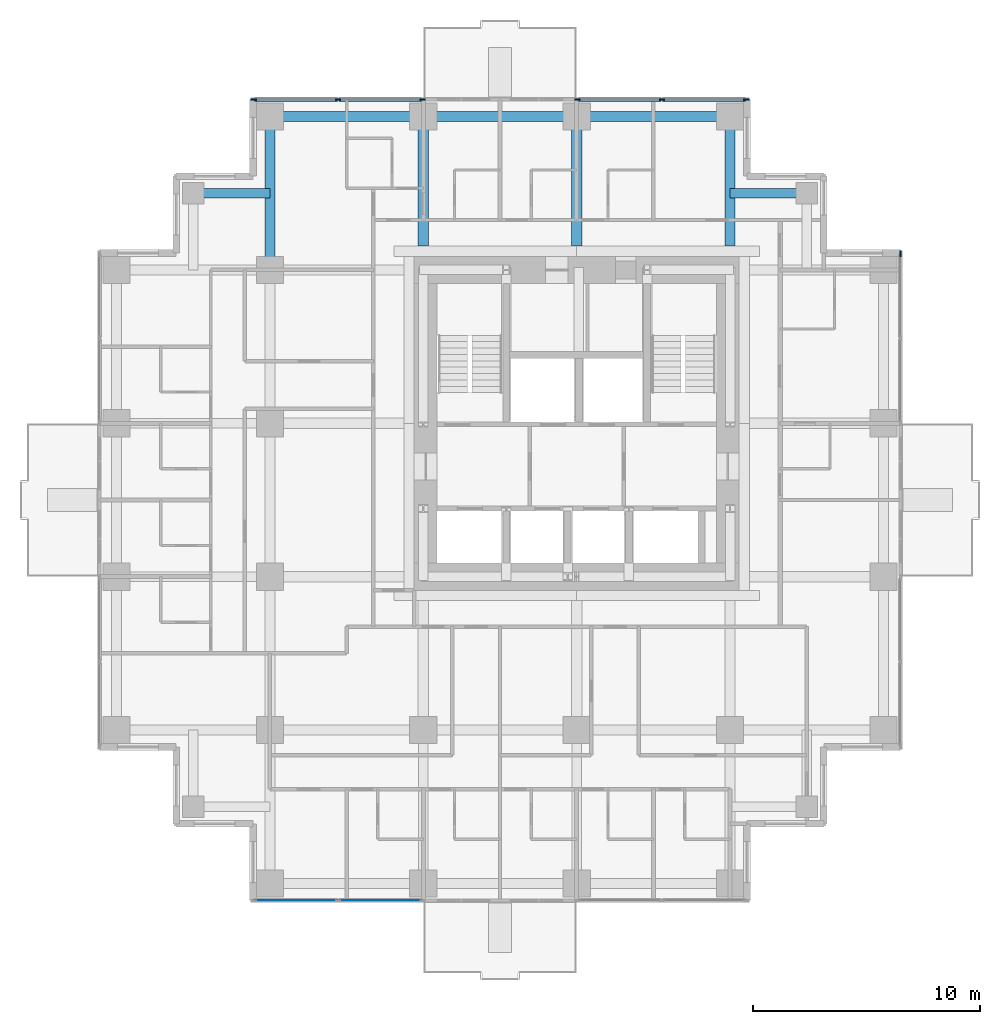
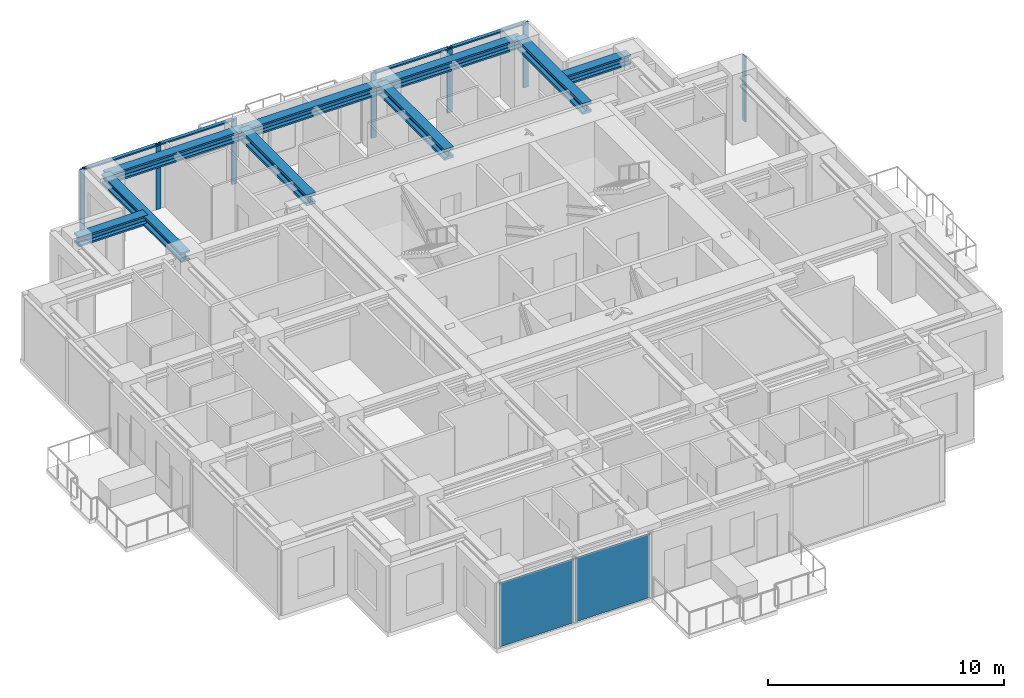
# One storey, part 3 of 10: 11 members, 9 beams, 2 plates, 4 elements without a shape of their own.
"""IFC4 building model written with IfcOpenShell, lengths in metres."""

import ifcopenshell
import ifcopenshell.guid

model = None  # the IFC model being written
_history = None  # IfcOwnerHistory: only IFC2X3 demands one
_inside = {}  # id of a spatial element -> (the spatial element, [elements in it])
_under = {}  # id of a project, library or spatial element -> (it, [spatial elements below it])
_declared = {}  # id of a project -> (the project, [libraries it declares])
_typed = {}  # id of a type object -> (the type object, [elements of that type])
_made_of = {}  # id of a material, layer set ... -> (it, [elements and type objects made of it])


def new_model(schema):
    """Start an empty IFC model of exactly this schema.

    Asked for "IFC4X3", IfcOpenShell would pick the latest addendum, in which some entities
    have other attributes; the version numbers below select the first issue.
    IFC2X3 requires an IfcOwnerHistory on every rooted entity: one is made here for all.
    """
    global model, _history
    if schema == "IFC4X3":
        model = ifcopenshell.file(schema_version=(4, 3, 0, 0))
    else:
        model = ifcopenshell.file(schema=schema)
    _inside.clear()
    _under.clear()
    _declared.clear()
    _typed.clear()
    _made_of.clear()
    _history = None
    if model.schema == "IFC2X3":
        org = make("IfcOrganization", Name="unknown")
        user = make(
            "IfcPersonAndOrganization",
            ThePerson=make("IfcPerson", FamilyName="unknown"),
            TheOrganization=org,
        )
        app = make(
            "IfcApplication",
            ApplicationDeveloper=org,
            Version="unknown",
            ApplicationFullName="unknown",
            ApplicationIdentifier="unknown",
        )
        _history = make(
            "IfcOwnerHistory",
            OwningUser=user,
            OwningApplication=app,
            ChangeAction="ADDED",
            CreationDate=0,
        )
    return model


def make(cls, **values):
    """One entity of the class cls with the attributes given. An attribute that is None is left unset."""
    return model.create_entity(
        cls, **{name: value for name, value in values.items() if value is not None}
    )


def rooted(cls, **values):
    """An entity with a GlobalId (a new one), such as an element, a storey or a relation."""
    return make(cls, GlobalId=ifcopenshell.guid.new(), OwnerHistory=_history, **values)


def si_unit(unit_type, name, prefix=None):
    """IfcSIUnit, for example si_unit("LENGTHUNIT", "METRE", prefix="MILLI")."""
    return make("IfcSIUnit", UnitType=unit_type, Prefix=prefix, Name=name)


def assignment(units):
    """IfcUnitAssignment: the units of a project."""
    return None if units is None else make("IfcUnitAssignment", Units=units)


def point(xyz):
    """IfcCartesianPoint."""
    return None if xyz is None else make("IfcCartesianPoint", Coordinates=xyz)


def direction(xyz):
    """IfcDirection."""
    return None if xyz is None else make("IfcDirection", DirectionRatios=xyz)


def frame(location, z_axis=None, x_axis=None):
    """IfcAxis2Placement3D, a coordinate frame: its origin and axes. An axis left out is left unset."""
    return make(
        "IfcAxis2Placement3D",
        Location=point(location),
        Axis=direction(z_axis),
        RefDirection=direction(x_axis),
    )


def frame_2d(location, x_axis=None):
    """IfcAxis2Placement2D, a coordinate frame in the plane: its origin and x axis."""
    return make(
        "IfcAxis2Placement2D", Location=point(location), RefDirection=direction(x_axis)
    )


def origin():
    """The frame at (0, 0, 0) with its axes left unset."""
    return frame((0.0, 0.0, 0.0))


def origin_2d():
    """The frame at (0, 0) in the plane with its x axis left unset."""
    return frame_2d((0.0, 0.0))


def place(relative_to, where):
    """IfcLocalPlacement: puts the frame where relative to a parent placement (None: the world)."""
    return make(
        "IfcLocalPlacement", PlacementRelTo=relative_to, RelativePlacement=where
    )


def context(
    kind, dimensions, precision=None, world=None, true_north=None, identifier=None
):
    """IfcGeometricRepresentationContext, for example the 3D "Model" context."""
    return make(
        "IfcGeometricRepresentationContext",
        ContextIdentifier=identifier,
        ContextType=kind,
        CoordinateSpaceDimension=dimensions,
        Precision=precision,
        WorldCoordinateSystem=world,
        TrueNorth=true_north,
    )


def subcontext(parent, identifier, kind, view, scale=None):
    """IfcGeometricRepresentationSubContext, for example "Body" below "Model"."""
    return make(
        "IfcGeometricRepresentationSubContext",
        ContextIdentifier=identifier,
        ContextType=kind,
        ParentContext=parent,
        TargetScale=scale,
        TargetView=view,
    )


def project(units=None, contexts=None):
    """IfcProject with its units and contexts."""
    return rooted(
        "IfcProject",
        Name="project",
        RepresentationContexts=contexts,
        UnitsInContext=assignment(units),
    )


def spatial(cls, under=None, at=None, **own):
    """A site, building, storey or space (cls), placed at a placement, below another one or the project."""
    s = rooted(cls, ObjectPlacement=at, **own)
    if under is not None:
        _under.setdefault(under.id(), (under, []))[1].append(s)
    return s


def profile(cls, at=None, kind="AREA", **sizes):
    """A parametric profile (cls). Its sizes go by their IFC names, for example OverallWidth=200.0."""
    return make(cls, ProfileType=kind, Position=at, **sizes)


def rectangle(**sizes):
    """IfcRectangleProfileDef."""
    return profile("IfcRectangleProfileDef", **sizes)


def i_section(**sizes):
    """IfcIShapeProfileDef."""
    return profile("IfcIShapeProfileDef", **sizes)


def extrude(swept, where, along, depth):
    """IfcExtrudedAreaSolid: the profile swept, set in the frame where, extruded along a direction by depth."""
    return make(
        "IfcExtrudedAreaSolid",
        SweptArea=swept,
        Position=where,
        ExtrudedDirection=direction(along),
        Depth=depth,
    )


def shape(context_of_items, identifier, shape_type, items):
    """IfcShapeRepresentation: the items that make up one representation, for example the "Body"."""
    return make(
        "IfcShapeRepresentation",
        ContextOfItems=context_of_items,
        RepresentationIdentifier=identifier,
        RepresentationType=shape_type,
        Items=items,
    )


def material(Name=None, Category=None):
    """IfcMaterial."""
    return make("IfcMaterial", Name=Name, Category=Category)


def layer(
    of_material, thickness, ventilated=None, Name=None, Category=None, Priority=None
):
    """IfcMaterialLayer: one layer of a wall or slab, of a material (None: an air gap)."""
    return make(
        "IfcMaterialLayer",
        Material=of_material,
        LayerThickness=thickness,
        IsVentilated=ventilated,
        Name=Name,
        Category=Category,
        Priority=Priority,
    )


def layer_set(layers, Name=None):
    """IfcMaterialLayerSet."""
    return make("IfcMaterialLayerSet", MaterialLayers=layers, LayerSetName=Name)


def material_profile(
    of_material, cross_section, Name=None, Category=None, Priority=None
):
    """IfcMaterialProfile: a cross section and its material."""
    return make(
        "IfcMaterialProfile",
        Name=Name,
        Material=of_material,
        Profile=cross_section,
        Priority=Priority,
        Category=Category,
    )


def profile_set(profiles, Name=None, composite=None):
    """IfcMaterialProfileSet."""
    return make(
        "IfcMaterialProfileSet",
        Name=Name,
        MaterialProfiles=profiles,
        CompositeProfile=composite,
    )


def made_of(thing, what):
    """Note that an element or type object is made of a material, layer set ...; save() writes the relation."""
    if what is not None:
        _made_of.setdefault(what.id(), (what, []))[1].append(thing)
    return thing


def type_object(cls, material=None, **own):
    """A type object (cls), such as IfcWallType, which elements share."""
    return made_of(rooted(cls, **own), material)


def element(
    cls,
    number,
    at=None,
    inside=None,
    cuts=None,
    type_object=None,
    material=None,
    context=None,
    identifier="Body",
    shape_type=None,
    held_by="IfcProductDefinitionShape",
    body=None,
    shapes=None,
    **own,
):
    """One element of the class cls, such as IfcWall. Its Tag is "e" and its number.

    at: its placement. inside: the storey or other place that contains it. cuts: it is an
    opening in that element (IfcRelVoidsElement). A single representation is given by context,
    identifier, shape_type and body (its items); several are given by shapes. held_by: the class
    of the entity that holds the representations. save() writes the other relations.
    """
    e = rooted(cls, Tag="e%d" % number, ObjectPlacement=at, **own)
    if body is not None:
        shapes = [shape(context, identifier, shape_type, body)]
    if shapes is not None:
        e.Representation = make(held_by, Representations=shapes)
    if inside is not None:
        _inside.setdefault(inside.id(), (inside, []))[1].append(e)
    if cuts is not None:
        rooted(
            "IfcRelVoidsElement", RelatingBuildingElement=cuts, RelatedOpeningElement=e
        )
    if type_object is not None:
        _typed.setdefault(type_object.id(), (type_object, []))[1].append(e)
    return made_of(e, material)


def aggregate(whole, parts):
    """IfcRelAggregates: a whole, such as a stair, and the parts it consists of."""
    return rooted("IfcRelAggregates", RelatingObject=whole, RelatedObjects=parts)


def save(model, path):
    """Write the relations noted so far, then the file.

    IfcRelAggregates (storeys below a building ...), IfcRelContainedInSpatialStructure (elements
    in a storey), IfcRelDefinesByType, IfcRelAssociatesMaterial and IfcRelDeclares: one each for
    every whole, place, type object, material and project.
    """
    for whole, parts in _under.values():
        aggregate(whole, parts)
    for where, things in _inside.values():
        rooted(
            "IfcRelContainedInSpatialStructure",
            RelatedElements=things,
            RelatingStructure=where,
        )
    for kind, things in _typed.values():
        rooted("IfcRelDefinesByType", RelatedObjects=things, RelatingType=kind)
    for what, things in _made_of.values():
        rooted("IfcRelAssociatesMaterial", RelatedObjects=things, RelatingMaterial=what)
    for by, libraries in _declared.values():
        rooted("IfcRelDeclares", RelatingContext=by, RelatedDefinitions=libraries)
    model.write(path)


model = new_model("IFC4")

# Units and contexts
model_context = context("Model", 3, precision=1e-05, world=origin(), true_north=direction((0.0, 1.0)))
body_context = subcontext(model_context, "Body", "Model", "MODEL_VIEW")
ifc_project = project(units=[si_unit("LENGTHUNIT", "METRE"), si_unit("AREAUNIT", "SQUARE_METRE"), si_unit("VOLUMEUNIT", "CUBIC_METRE"), si_unit("PLANEANGLEUNIT", "RADIAN"), si_unit("MASSUNIT", "GRAM", prefix="KILO")], contexts=[model_context])

# Site, building, storey
site_placement = place(None, origin())
site = spatial("IfcSite", under=ifc_project, at=site_placement, CompositionType="ELEMENT")
building_placement = place(site_placement, origin())
building = spatial("IfcBuilding", under=site, at=building_placement, Name="Nyansa Garden Tower", CompositionType="ELEMENT")
storey_placement = place(building_placement, frame((0.0, 0.0, 185.39990234375)))
storey = spatial("IfcBuildingStorey", under=building, at=storey_placement, Name="L50", CompositionType="ELEMENT", Elevation=185.39990234375)

# Curtain wall, member
ifc_material_1 = material(Name="Black anodised aluminium, dark tinted double glazing", Category="aluminium")
curtain_wall_type = type_object("IfcCurtainWallType", Name="Inner skin curtain wall ISW-C", PredefinedType="USERDEFINED", material=ifc_material_1)
curtain_wall_1_placement = place(storey_placement, origin())
curtain_wall_1 = element("IfcCurtainWall", 1, at=curtain_wall_1_placement, inside=storey, type_object=curtain_wall_type, Name="Inner skin curtain wall L50 E", ObjectType="UNITISED CURTAIN WALL", PredefinedType="USERDEFINED")
ifc_material_2 = material(Name="Black anodised aluminium", Category="aluminium")
ifc_material_profile_1 = material_profile(ifc_material_2, rectangle(XDim=0.070068359375, YDim=0.25, at=origin_2d()), Name="Mullion 250x70")
ifc_profile_set_1 = profile_set([ifc_material_profile_1], Name="Black anodised aluminium")
member_type_1 = type_object("IfcMemberType", Name="Mullion ISW-C 250x70", PredefinedType="MULLION", material=ifc_profile_set_1)
member_1_placement = place(storey_placement, frame((34.5, 27.715087890625, 0.0), z_axis=(0.0, 0.0, 1.0), x_axis=(-1.0, 0.0, 0.0)))
member_1 = element("IfcMember", 2, at=member_1_placement, type_object=member_type_1, Name="ISW-C mullion 3", PredefinedType="MULLION", context=body_context, shape_type="SweptSolid", body=[
    extrude(rectangle(XDim=0.070068359375, YDim=0.25, at=origin_2d()), origin(), (0.0, 0.0, 1.0), 3.375),
])
aggregate(curtain_wall_1, [member_1])

# Curtain wall, members
curtain_wall_2_placement = place(storey_placement, origin())
curtain_wall_2 = element("IfcCurtainWall", 3, at=curtain_wall_2_placement, inside=storey, type_object=curtain_wall_type, Name="Inner skin curtain wall L50 N", ObjectType="UNITISED CURTAIN WALL", PredefinedType="USERDEFINED")
member_2_placement = place(storey_placement, frame((13.465087890625, 34.5, 0.0), z_axis=(0.0, 0.0, 1.0), x_axis=(0.0, -1.0, 0.0)))
member_2 = element("IfcMember", 4, at=member_2_placement, type_object=member_type_1, Name="ISW-C mullion 1", PredefinedType="MULLION", context=body_context, shape_type="SweptSolid", body=[
    extrude(rectangle(XDim=0.070068359375, YDim=0.25, at=origin_2d()), origin(), (0.0, 0.0, 1.0), 3.375),
])
member_3_placement = place(storey_placement, frame((9.75, 34.5, 0.0), z_axis=(0.0, 0.0, 1.0), x_axis=(0.0, -1.0, 0.0)))
member_3 = element("IfcMember", 5, at=member_3_placement, type_object=member_type_1, Name="ISW-C mullion 2", PredefinedType="MULLION", context=body_context, shape_type="SweptSolid", body=[
    extrude(rectangle(XDim=0.070068359375, YDim=0.25, at=origin_2d()), origin(), (0.0, 0.0, 1.0), 3.375),
])
member_4_placement = place(storey_placement, frame((6.034912109375, 34.5, 0.0), z_axis=(0.0, 0.0, 1.0), x_axis=(0.0, -1.0, 0.0)))
member_4 = element("IfcMember", 6, at=member_4_placement, type_object=member_type_1, Name="ISW-C mullion 3", PredefinedType="MULLION", context=body_context, shape_type="SweptSolid", body=[
    extrude(rectangle(XDim=0.070068359375, YDim=0.25, at=origin_2d()), origin(), (0.0, 0.0, 1.0), 3.375),
])

curtain_wall_3_placement = place(storey_placement, origin())
curtain_wall_3 = element("IfcCurtainWall", 7, at=curtain_wall_3_placement, inside=storey, type_object=curtain_wall_type, Name="Inner skin curtain wall L50 N", ObjectType="UNITISED CURTAIN WALL", PredefinedType="USERDEFINED")
member_5_placement = place(storey_placement, frame((27.715087890625, 34.5, 0.0), z_axis=(0.0, 0.0, 1.0), x_axis=(0.0, -1.0, 0.0)))
member_5 = element("IfcMember", 8, at=member_5_placement, type_object=member_type_1, Name="ISW-C mullion 1", PredefinedType="MULLION", context=body_context, shape_type="SweptSolid", body=[
    extrude(rectangle(XDim=0.070068359375, YDim=0.25, at=origin_2d()), origin(), (0.0, 0.0, 1.0), 3.375),
])
member_6_placement = place(storey_placement, frame((24.0, 34.5, 0.0), z_axis=(0.0, 0.0, 1.0), x_axis=(0.0, -1.0, 0.0)))
member_6 = element("IfcMember", 9, at=member_6_placement, type_object=member_type_1, Name="ISW-C mullion 2", PredefinedType="MULLION", context=body_context, shape_type="SweptSolid", body=[
    extrude(rectangle(XDim=0.070068359375, YDim=0.25, at=origin_2d()), origin(), (0.0, 0.0, 1.0), 3.375),
])
member_7_placement = place(storey_placement, frame((20.284912109375, 34.5, 0.0), z_axis=(0.0, 0.0, 1.0), x_axis=(0.0, -1.0, 0.0)))
member_7 = element("IfcMember", 10, at=member_7_placement, type_object=member_type_1, Name="ISW-C mullion 3", PredefinedType="MULLION", context=body_context, shape_type="SweptSolid", body=[
    extrude(rectangle(XDim=0.070068359375, YDim=0.25, at=origin_2d()), origin(), (0.0, 0.0, 1.0), 3.375),
])

# Beams
ifc_material_3 = material(Name="Steel S355", Category="steel")
ifc_material_profile_2 = material_profile(ifc_material_3, i_section(OverallWidth=0.431884765625, OverallDepth=0.498046875, WebThickness=0.0556640625, FlangeThickness=0.0888671875, FilletRadius=0.014892578125, at=origin_2d()), Name="HD 400x744")
ifc_profile_set_2 = profile_set([ifc_material_profile_2], Name="Steel S355")
beam_type_1 = type_object("IfcBeamType", Name="Steel beam SBC1-744 HD 400x744", PredefinedType="BEAM", material=ifc_profile_set_2)
beam_placement = place(storey_placement, frame((6.75, 27.0, 3.1259765625), z_axis=(0.0, 1.0, 0.0), x_axis=(-1.0, 0.0, 0.0)))
element("IfcBeam", 11, at=beam_placement, inside=storey, type_object=beam_type_1, Name="Steel beam 3/H-3/J L51", PredefinedType="BEAM", context=body_context, shape_type="SweptSolid", body=[
    extrude(i_section(OverallWidth=0.431884765625, OverallDepth=0.498046875, WebThickness=0.0556640625, FlangeThickness=0.0888671875, FilletRadius=0.014892578125, at=origin_2d()), origin(), (0.0, 0.0, 1.0), 6.75),
])
ifc_material_4 = material(Name="Steel S355", Category="steel")
ifc_material_profile_3 = material_profile(ifc_material_4, i_section(OverallWidth=0.4541015625, OverallDepth=0.569091796875, WebThickness=0.077880859375, FlangeThickness=0.125, FilletRadius=0.014892578125, at=origin_2d()), Name="HD 400x1086")
ifc_profile_set_3 = profile_set([ifc_material_profile_3], Name="Steel S355")
beam_type_2 = type_object("IfcBeamType", Name="Steel beam SCL-1086 HD 400x1086", PredefinedType="BEAM", material=ifc_profile_set_3)
for number, where, z_axis, x_axis, name in (
    (12, (13.5, 28.050048828125, 3.090576171875), (0.0, 1.0, 0.0), (-1.0, 0.0, 0.0), "Steel beam 4/28.050-4/J L51"),
    (13, (20.25, 28.050048828125, 3.090576171875), (0.0, 1.0, 0.0), (-1.0, 0.0, 0.0), "Steel beam 5/28.050-5/J L51"),
    (14, (27.0, 28.050048828125, 3.090576171875), (0.0, 1.0, 0.0), (-1.0, 0.0, 0.0), "Steel beam 6/28.050-6/J L51"),
):
    element("IfcBeam", number, at=place(storey_placement, frame(where, z_axis=z_axis, x_axis=x_axis)), inside=storey, type_object=beam_type_2, Name=name, PredefinedType="BEAM", context=body_context, shape_type="SweptSolid", body=[
        extrude(i_section(OverallWidth=0.4541015625, OverallDepth=0.569091796875, WebThickness=0.077880859375, FlangeThickness=0.125, FilletRadius=0.014892578125, at=origin_2d()), origin(), (0.0, 0.0, 1.0), 5.699951171875),
    ])
ifc_material_5 = material(Name="Steel S355", Category="steel")
ifc_material_profile_4 = material_profile(ifc_material_5, i_section(OverallWidth=0.431884765625, OverallDepth=0.498046875, WebThickness=0.0556640625, FlangeThickness=0.0888671875, FilletRadius=0.014892578125, at=origin_2d()), Name="HD 400x744")
ifc_profile_set_4 = profile_set([ifc_material_profile_4], Name="Steel S355")
beam_type_3 = type_object("IfcBeamType", Name="Steel beam SEBC-744 HD 400x744", PredefinedType="BEAM", material=ifc_profile_set_4)
for number, where, z_axis, x_axis, name in (
    (15, (6.75, 33.75, 3.1259765625), (1.0, 0.0, 0.0), (0.0, 1.0, 0.0), "Steel edge beam 3/J-4/J L51"),
    (16, (13.5, 33.75, 3.1259765625), (1.0, 0.0, 0.0), (0.0, 1.0, 0.0), "Steel edge beam 4/J-5/J L51"),
    (17, (20.25, 33.75, 3.1259765625), (1.0, 0.0, 0.0), (0.0, 1.0, 0.0), "Steel edge beam 5/J-6/J L51"),
):
    element("IfcBeam", number, at=place(storey_placement, frame(where, z_axis=z_axis, x_axis=x_axis)), inside=storey, type_object=beam_type_3, Name=name, PredefinedType="BEAM", context=body_context, shape_type="SweptSolid", body=[
        extrude(i_section(OverallWidth=0.431884765625, OverallDepth=0.498046875, WebThickness=0.0556640625, FlangeThickness=0.0888671875, FilletRadius=0.014892578125, at=origin_2d()), origin(), (0.0, 0.0, 1.0), 6.75),
    ])
ifc_material_6 = material(Name="Steel S355", Category="steel")
ifc_material_profile_5 = material_profile(ifc_material_6, i_section(OverallWidth=0.431884765625, OverallDepth=0.498046875, WebThickness=0.0556640625, FlangeThickness=0.0888671875, FilletRadius=0.014892578125, at=origin_2d()), Name="HD 400x744")
ifc_profile_set_5 = profile_set([ifc_material_profile_5], Name="Steel S355")
beam_type_4 = type_object("IfcBeamType", Name="Steel beam SSB1-744 HD 400x744", PredefinedType="BEAM", material=ifc_profile_set_5)
for number, where, z_axis, x_axis, name in (
    (18, (30.375, 30.375, 3.1259765625), (-1.0, 0.0, 0.0), (0.0, -1.0, 0.0), "Steel step beam 30.375/30.375 L51"),
    (19, (3.375, 30.375, 3.1259765625), (1.0, 0.0, 0.0), (0.0, 1.0, 0.0), "Steel step beam 3.375/30.375 L51"),
):
    element("IfcBeam", number, at=place(storey_placement, frame(where, z_axis=z_axis, x_axis=x_axis)), inside=storey, type_object=beam_type_4, Name=name, PredefinedType="BEAM", context=body_context, shape_type="SweptSolid", body=[
        extrude(i_section(OverallWidth=0.431884765625, OverallDepth=0.498046875, WebThickness=0.0556640625, FlangeThickness=0.0888671875, FilletRadius=0.014892578125, at=origin_2d()), origin(), (0.0, 0.0, 1.0), 3.375),
    ])

# Member
ifc_material_7 = material(Name="Black anodised aluminium", Category="aluminium")
ifc_material_profile_6 = material_profile(ifc_material_7, rectangle(XDim=0.179931640625, YDim=0.070068359375, at=origin_2d()), Name="Transom 180x70")
ifc_profile_set_6 = profile_set([ifc_material_profile_6], Name="Black anodised aluminium")
member_type_2 = type_object("IfcMemberType", Name="Transom ISW-C 180x70", PredefinedType="USERDEFINED", material=ifc_profile_set_6)
member_8_placement = place(storey_placement, frame((13.429931640625, 34.5, 3.340087890625), z_axis=(-1.0, 0.0, 0.0), x_axis=(0.0, -1.0, 0.0)))
member_8 = element("IfcMember", 20, at=member_8_placement, type_object=member_type_2, Name="ISW-C transom 1", ObjectType="TRANSOM", PredefinedType="USERDEFINED", context=body_context, shape_type="SweptSolid", body=[
    extrude(rectangle(XDim=0.179931640625, YDim=0.070068359375, at=origin_2d()), origin(), (0.0, 0.0, 1.0), 3.64501953125),
])

member_9_placement = place(storey_placement, frame((9.715087890625, 34.5, 3.340087890625), z_axis=(-1.0, 0.0, 0.0), x_axis=(0.0, -1.0, 0.0)))
member_9 = element("IfcMember", 21, at=member_9_placement, type_object=member_type_2, Name="ISW-C transom 2", ObjectType="TRANSOM", PredefinedType="USERDEFINED", context=body_context, shape_type="SweptSolid", body=[
    extrude(rectangle(XDim=0.179931640625, YDim=0.070068359375, at=origin_2d()), origin(), (0.0, 0.0, 1.0), 3.64501953125),
])

aggregate(curtain_wall_2, [member_2, member_3, member_4, member_8, member_9])

member_10_placement = place(storey_placement, frame((27.679931640625, 34.5, 3.340087890625), z_axis=(-1.0, 0.0, 0.0), x_axis=(0.0, -1.0, 0.0)))
member_10 = element("IfcMember", 22, at=member_10_placement, type_object=member_type_2, Name="ISW-C transom 1", ObjectType="TRANSOM", PredefinedType="USERDEFINED", context=body_context, shape_type="SweptSolid", body=[
    extrude(rectangle(XDim=0.179931640625, YDim=0.070068359375, at=origin_2d()), origin(), (0.0, 0.0, 1.0), 3.64501953125),
])

member_11_placement = place(storey_placement, frame((23.965087890625, 34.5, 3.340087890625), z_axis=(-1.0, 0.0, 0.0), x_axis=(0.0, -1.0, 0.0)))
member_11 = element("IfcMember", 23, at=member_11_placement, type_object=member_type_2, Name="ISW-C transom 2", ObjectType="TRANSOM", PredefinedType="USERDEFINED", context=body_context, shape_type="SweptSolid", body=[
    extrude(rectangle(XDim=0.179931640625, YDim=0.070068359375, at=origin_2d()), origin(), (0.0, 0.0, 1.0), 3.64501953125),
])

aggregate(curtain_wall_3, [member_5, member_6, member_7, member_10, member_11])

# Curtain wall, plates
curtain_wall_4_placement = place(storey_placement, origin())
curtain_wall_4 = element("IfcCurtainWall", 24, at=curtain_wall_4_placement, inside=storey, type_object=curtain_wall_type, Name="Inner skin curtain wall L50 S", ObjectType="UNITISED CURTAIN WALL", PredefinedType="USERDEFINED")
ifc_material_8 = material(Name="Dark tinted laminated double glazing", Category="glass")
ifc_layer = layer(ifc_material_8, 0.0400390625)
ifc_layer_set = layer_set([ifc_layer], Name="Dark tinted vision panel VP-C")
plate_type = type_object("IfcPlateType", Name="Dark tinted vision panel VP-C", PredefinedType="CURTAIN_PANEL", material=ifc_layer_set)
plate_1_placement = place(storey_placement, frame((7.892578125, -0.75, 0.0), z_axis=(0.0, 0.0, 1.0), x_axis=(1.0, 0.0, 0.0)))
plate_1 = element("IfcPlate", 25, at=plate_1_placement, type_object=plate_type, Name="ISW-C panel 1", PredefinedType="CURTAIN_PANEL", context=body_context, shape_type="SweptSolid", body=[
    extrude(rectangle(XDim=3.64501953125, YDim=0.0400390625, at=origin_2d()), origin(), (0.0, 0.0, 1.0), 3.304931640625),
])
plate_2_placement = place(storey_placement, frame((11.607421875, -0.75, 0.0), z_axis=(0.0, 0.0, 1.0), x_axis=(1.0, 0.0, 0.0)))
plate_2 = element("IfcPlate", 26, at=plate_2_placement, type_object=plate_type, Name="ISW-C panel 2", PredefinedType="CURTAIN_PANEL", context=body_context, shape_type="SweptSolid", body=[
    extrude(rectangle(XDim=3.64501953125, YDim=0.0400390625, at=origin_2d()), origin(), (0.0, 0.0, 1.0), 3.304931640625),
])
aggregate(curtain_wall_4, [plate_1, plate_2])

save(model, "model.ifc")
